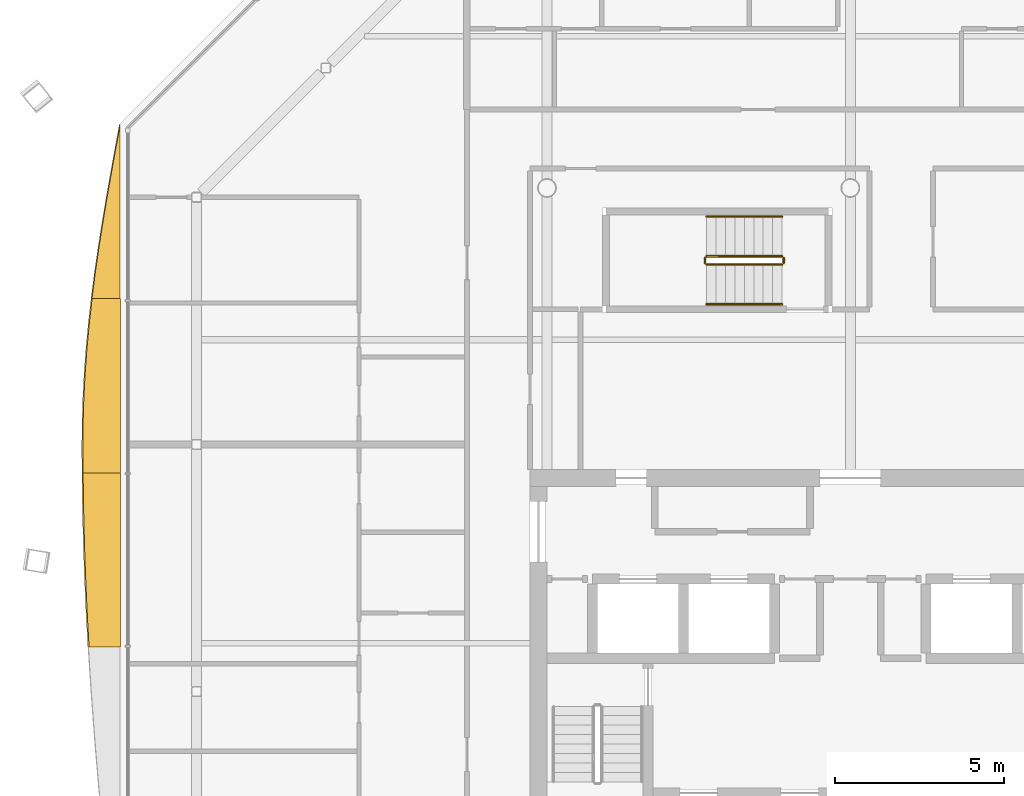
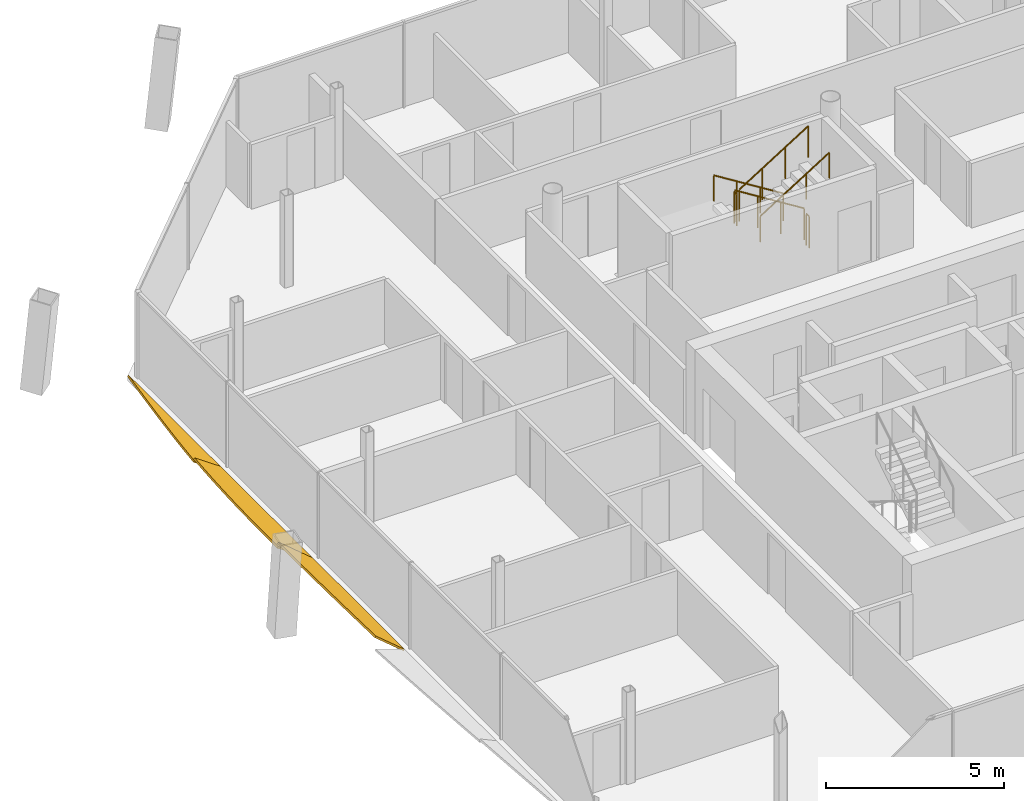
# One storey, part 16 of 17: 6 railings, 3 shading devices.
"""IFC4 building model written with IfcOpenShell, lengths in metres."""

import ifcopenshell
import ifcopenshell.guid

model = None  # the IFC model being written
_history = None  # IfcOwnerHistory: only IFC2X3 demands one
_inside = {}  # id of a spatial element -> (the spatial element, [elements in it])
_under = {}  # id of a project, library or spatial element -> (it, [spatial elements below it])
_declared = {}  # id of a project -> (the project, [libraries it declares])
_typed = {}  # id of a type object -> (the type object, [elements of that type])
_made_of = {}  # id of a material, layer set ... -> (it, [elements and type objects made of it])


def new_model(schema):
    """Start an empty IFC model of exactly this schema.

    Asked for "IFC4X3", IfcOpenShell would pick the latest addendum, in which some entities
    have other attributes; the version numbers below select the first issue.
    IFC2X3 requires an IfcOwnerHistory on every rooted entity: one is made here for all.
    """
    global model, _history
    if schema == "IFC4X3":
        model = ifcopenshell.file(schema_version=(4, 3, 0, 0))
    else:
        model = ifcopenshell.file(schema=schema)
    _inside.clear()
    _under.clear()
    _declared.clear()
    _typed.clear()
    _made_of.clear()
    _history = None
    if model.schema == "IFC2X3":
        org = make("IfcOrganization", Name="unknown")
        user = make(
            "IfcPersonAndOrganization",
            ThePerson=make("IfcPerson", FamilyName="unknown"),
            TheOrganization=org,
        )
        app = make(
            "IfcApplication",
            ApplicationDeveloper=org,
            Version="unknown",
            ApplicationFullName="unknown",
            ApplicationIdentifier="unknown",
        )
        _history = make(
            "IfcOwnerHistory",
            OwningUser=user,
            OwningApplication=app,
            ChangeAction="ADDED",
            CreationDate=0,
        )
    return model


def make(cls, **values):
    """One entity of the class cls with the attributes given. An attribute that is None is left unset."""
    return model.create_entity(
        cls, **{name: value for name, value in values.items() if value is not None}
    )


def rooted(cls, **values):
    """An entity with a GlobalId (a new one), such as an element, a storey or a relation."""
    return make(cls, GlobalId=ifcopenshell.guid.new(), OwnerHistory=_history, **values)


def si_unit(unit_type, name, prefix=None):
    """IfcSIUnit, for example si_unit("LENGTHUNIT", "METRE", prefix="MILLI")."""
    return make("IfcSIUnit", UnitType=unit_type, Prefix=prefix, Name=name)


def assignment(units):
    """IfcUnitAssignment: the units of a project."""
    return None if units is None else make("IfcUnitAssignment", Units=units)


def point(xyz):
    """IfcCartesianPoint."""
    return None if xyz is None else make("IfcCartesianPoint", Coordinates=xyz)


def direction(xyz):
    """IfcDirection."""
    return None if xyz is None else make("IfcDirection", DirectionRatios=xyz)


def frame(location, z_axis=None, x_axis=None):
    """IfcAxis2Placement3D, a coordinate frame: its origin and axes. An axis left out is left unset."""
    return make(
        "IfcAxis2Placement3D",
        Location=point(location),
        Axis=direction(z_axis),
        RefDirection=direction(x_axis),
    )


def frame_2d(location, x_axis=None):
    """IfcAxis2Placement2D, a coordinate frame in the plane: its origin and x axis."""
    return make(
        "IfcAxis2Placement2D", Location=point(location), RefDirection=direction(x_axis)
    )


def origin():
    """The frame at (0, 0, 0) with its axes left unset."""
    return frame((0.0, 0.0, 0.0))


def origin_2d():
    """The frame at (0, 0) in the plane with its x axis left unset."""
    return frame_2d((0.0, 0.0))


def place(relative_to, where):
    """IfcLocalPlacement: puts the frame where relative to a parent placement (None: the world)."""
    return make(
        "IfcLocalPlacement", PlacementRelTo=relative_to, RelativePlacement=where
    )


def context(
    kind, dimensions, precision=None, world=None, true_north=None, identifier=None
):
    """IfcGeometricRepresentationContext, for example the 3D "Model" context."""
    return make(
        "IfcGeometricRepresentationContext",
        ContextIdentifier=identifier,
        ContextType=kind,
        CoordinateSpaceDimension=dimensions,
        Precision=precision,
        WorldCoordinateSystem=world,
        TrueNorth=true_north,
    )


def subcontext(parent, identifier, kind, view, scale=None):
    """IfcGeometricRepresentationSubContext, for example "Body" below "Model"."""
    return make(
        "IfcGeometricRepresentationSubContext",
        ContextIdentifier=identifier,
        ContextType=kind,
        ParentContext=parent,
        TargetScale=scale,
        TargetView=view,
    )


def project(units=None, contexts=None):
    """IfcProject with its units and contexts."""
    return rooted(
        "IfcProject",
        Name="project",
        RepresentationContexts=contexts,
        UnitsInContext=assignment(units),
    )


def spatial(cls, under=None, at=None, **own):
    """A site, building, storey or space (cls), placed at a placement, below another one or the project."""
    s = rooted(cls, ObjectPlacement=at, **own)
    if under is not None:
        _under.setdefault(under.id(), (under, []))[1].append(s)
    return s


def polyline(points):
    """IfcPolyline through the points."""
    return make("IfcPolyline", Points=[point(p) for p in points])


def profile(cls, at=None, kind="AREA", **sizes):
    """A parametric profile (cls). Its sizes go by their IFC names, for example OverallWidth=200.0."""
    return make(cls, ProfileType=kind, Position=at, **sizes)


def circle(**sizes):
    """IfcCircleProfileDef."""
    return profile("IfcCircleProfileDef", **sizes)


def outline(outer, holes=None, kind="AREA"):
    """IfcArbitraryClosedProfileDef: a profile drawn as a closed curve; with holes, ...WithVoids."""
    if holes is None:
        return make("IfcArbitraryClosedProfileDef", ProfileType=kind, OuterCurve=outer)
    return make(
        "IfcArbitraryProfileDefWithVoids",
        ProfileType=kind,
        OuterCurve=outer,
        InnerCurves=holes,
    )


def extrude(swept, where, along, depth):
    """IfcExtrudedAreaSolid: the profile swept, set in the frame where, extruded along a direction by depth."""
    return make(
        "IfcExtrudedAreaSolid",
        SweptArea=swept,
        Position=where,
        ExtrudedDirection=direction(along),
        Depth=depth,
    )


def shape(context_of_items, identifier, shape_type, items):
    """IfcShapeRepresentation: the items that make up one representation, for example the "Body"."""
    return make(
        "IfcShapeRepresentation",
        ContextOfItems=context_of_items,
        RepresentationIdentifier=identifier,
        RepresentationType=shape_type,
        Items=items,
    )


def material(Name=None, Category=None):
    """IfcMaterial."""
    return make("IfcMaterial", Name=Name, Category=Category)


def layer(
    of_material, thickness, ventilated=None, Name=None, Category=None, Priority=None
):
    """IfcMaterialLayer: one layer of a wall or slab, of a material (None: an air gap)."""
    return make(
        "IfcMaterialLayer",
        Material=of_material,
        LayerThickness=thickness,
        IsVentilated=ventilated,
        Name=Name,
        Category=Category,
        Priority=Priority,
    )


def layer_set(layers, Name=None):
    """IfcMaterialLayerSet."""
    return make("IfcMaterialLayerSet", MaterialLayers=layers, LayerSetName=Name)


def made_of(thing, what):
    """Note that an element or type object is made of a material, layer set ...; save() writes the relation."""
    if what is not None:
        _made_of.setdefault(what.id(), (what, []))[1].append(thing)
    return thing


def type_object(cls, material=None, **own):
    """A type object (cls), such as IfcWallType, which elements share."""
    return made_of(rooted(cls, **own), material)


def element(
    cls,
    number,
    at=None,
    inside=None,
    cuts=None,
    type_object=None,
    material=None,
    context=None,
    identifier="Body",
    shape_type=None,
    held_by="IfcProductDefinitionShape",
    body=None,
    shapes=None,
    **own,
):
    """One element of the class cls, such as IfcWall. Its Tag is "e" and its number.

    at: its placement. inside: the storey or other place that contains it. cuts: it is an
    opening in that element (IfcRelVoidsElement). A single representation is given by context,
    identifier, shape_type and body (its items); several are given by shapes. held_by: the class
    of the entity that holds the representations. save() writes the other relations.
    """
    e = rooted(cls, Tag="e%d" % number, ObjectPlacement=at, **own)
    if body is not None:
        shapes = [shape(context, identifier, shape_type, body)]
    if shapes is not None:
        e.Representation = make(held_by, Representations=shapes)
    if inside is not None:
        _inside.setdefault(inside.id(), (inside, []))[1].append(e)
    if cuts is not None:
        rooted(
            "IfcRelVoidsElement", RelatingBuildingElement=cuts, RelatedOpeningElement=e
        )
    if type_object is not None:
        _typed.setdefault(type_object.id(), (type_object, []))[1].append(e)
    return made_of(e, material)


def aggregate(whole, parts):
    """IfcRelAggregates: a whole, such as a stair, and the parts it consists of."""
    return rooted("IfcRelAggregates", RelatingObject=whole, RelatedObjects=parts)


def save(model, path):
    """Write the relations noted so far, then the file.

    IfcRelAggregates (storeys below a building ...), IfcRelContainedInSpatialStructure (elements
    in a storey), IfcRelDefinesByType, IfcRelAssociatesMaterial and IfcRelDeclares: one each for
    every whole, place, type object, material and project.
    """
    for whole, parts in _under.values():
        aggregate(whole, parts)
    for where, things in _inside.values():
        rooted(
            "IfcRelContainedInSpatialStructure",
            RelatedElements=things,
            RelatingStructure=where,
        )
    for kind, things in _typed.values():
        rooted("IfcRelDefinesByType", RelatedObjects=things, RelatingType=kind)
    for what, things in _made_of.values():
        rooted("IfcRelAssociatesMaterial", RelatedObjects=things, RelatingMaterial=what)
    for by, libraries in _declared.values():
        rooted("IfcRelDeclares", RelatingContext=by, RelatedDefinitions=libraries)
    model.write(path)


model = new_model("IFC4")

# Units and contexts
model_context = context("Model", 3, precision=1e-05, world=origin(), true_north=direction((0.0, 1.0)))
body_context = subcontext(model_context, "Body", "Model", "MODEL_VIEW")
ifc_project = project(units=[si_unit("LENGTHUNIT", "METRE"), si_unit("AREAUNIT", "SQUARE_METRE"), si_unit("VOLUMEUNIT", "CUBIC_METRE"), si_unit("PLANEANGLEUNIT", "RADIAN"), si_unit("MASSUNIT", "GRAM", prefix="KILO")], contexts=[model_context])

# Site, building, storey
site_placement = place(None, origin())
site = spatial("IfcSite", under=ifc_project, at=site_placement, CompositionType="ELEMENT")
building_placement = place(site_placement, origin())
building = spatial("IfcBuilding", under=site, at=building_placement, Name="Tskaro Facet Tower", CompositionType="ELEMENT")
storey_placement = place(building_placement, frame((0.0, 0.0, 232.949951171875)))
storey = spatial("IfcBuildingStorey", under=building, at=storey_placement, Name="L60", CompositionType="ELEMENT", Elevation=232.949951171875)

# Shading devices
ifc_material_1 = material(Name="Bronze anodised aluminium 6063-T6", Category="aluminium")
ifc_layer = layer(ifc_material_1, 0.06005859375, Name="Bronze anodised aluminium 6063-T6")
ifc_layer_set = layer_set([ifc_layer], Name="Bronze anodised aluminium 6063-T6")
shading_device_type = type_object("IfcShadingDeviceType", Name="Bronze sun blade (FN1)", PredefinedType="USERDEFINED", material=ifc_layer_set)
shading_device_1_placement = place(storey_placement, frame((-21.656982421875, 10.883056640625, 0.052001953125), z_axis=(0.500025063863, 3.782648e-06, 0.866010932664), x_axis=(1.891419e-06, -0.999999999993, 3.275814e-06)))
element("IfcShadingDevice", 1, at=shading_device_1_placement, inside=storey, type_object=shading_device_type, Name="Fin blade west 1", ObjectType="FIN", PredefinedType="USERDEFINED", context=body_context, shape_type="SweptSolid", body=[
    extrude(outline(polyline([(0.0, 0.0), (5.166259765588039, 0.0), (5.166259765661523, -0.9686677957441194), (4.428222656437083, -0.8587435029922728), (3.6901855463988875, -0.7360088663208507), (2.952148437574859, -0.6024649150216561), (2.2141113283321103, -0.45983580111041855), (1.4760742189752625, -0.3104233343480507), (0.7380371090091753, -0.15640724806385714), (0.0, 0.0)])), origin(), (0.0, 0.0, -1.0), 0.06005859375),
])
shading_device_2_placement = place(storey_placement, frame((-21.652587890625, 5.716796875, 0.04931640625), z_axis=(0.573508682959, -6.240284e-06, 0.819199481526), x_axis=(-3.578857e-06, -0.999999999981, -5.112038e-06)))
element("IfcShadingDevice", 2, at=shading_device_2_placement, inside=storey, type_object=shading_device_type, Name="Fin blade west 2", ObjectType="FIN", PredefinedType="USERDEFINED", context=body_context, shape_type="SweptSolid", body=[
    extrude(outline(polyline([(0.0, 0.0), (5.16625976552441, 0.0), (5.166259765378479, -1.3545327814494834), (4.42822265576971, -1.358732947360441), (4.339599608896436, -1.358732947360441), (3.6901855474047904, -1.3508726320536757), (2.9521484379095724, -1.3231715538856048), (2.2141113281578, -1.2758297127296518), (1.4760742186489064, -1.2093871251009665), (0.7380371091337014, -1.125063840798151), (-6.370055366507726e-10, -1.0240799096198088), (0.0, 0.0)])), origin(), (0.0, 0.0, -1.0), 0.06005859375),
])
shading_device_3_placement = place(storey_placement, frame((-21.6484375, 0.550537109375, 0.0458984375), z_axis=(0.64281875359, -4.951406e-06, 0.766018309186), x_axis=(-3.182856e-06, -0.999999999988, -3.792867e-06)))
element("IfcShadingDevice", 3, at=shading_device_3_placement, inside=storey, type_object=shading_device_type, Name="Fin blade west 3", ObjectType="FIN", PredefinedType="USERDEFINED", context=body_context, shape_type="SweptSolid", body=[
    extrude(outline(polyline([(0.0, 0.0), (5.166015624936674, 0.0), (5.166015625217799, -1.2180765919272314), (4.428222656607602, -1.2712796395686783), (3.6901855467959335, -1.3178873983174806), (2.9521484371848548, -1.3580868843624074), (2.214111328072223, -1.391190188981391), (1.47607421930911, -1.417541266535465), (0.7380371085643219, -1.4365790684583244), (2.103843331482125e-11, -1.448550766971744), (0.0, 0.0)])), origin(), (0.0, 0.0, -1.0), 0.06005859375),
])

# Railings
ifc_material_2 = material(Name="Stainless steel", Category="steel")
railing_type_1 = type_object("IfcRailingType", Name="RL-GUARD-1100", PredefinedType="GUARDRAIL", material=ifc_material_2)
railing_1_placement = place(storey_placement, frame((-2.02490234375, 6.97509765625, 0.175048828125)))
element("IfcRailing", 4, at=railing_1_placement, inside=storey, type_object=railing_type_1, Name="L60 ST-3 stair guard 1", PredefinedType="GUARDRAIL", context=body_context, shape_type="SweptSolid", body=[
    extrude(circle(Radius=0.02392578125, at=origin_2d()), frame((0.0, 0.0, 1.076171875), z_axis=(-0.848013881152, 0.0, 0.529974015752), x_axis=(0.0, -1.0, 0.0)), (0.0, 0.0, 1.0), 2.641357421875),
    extrude(circle(Radius=0.02099609375, at=origin_2d()), origin(), (0.0, 0.0, 1.0), 1.052001953125),
    extrude(circle(Radius=0.02099609375, at=origin_2d()), frame((-0.74658203125, 0.0, 0.466552734375)), (0.0, 0.0, 1.0), 1.052001953125),
    extrude(circle(Radius=0.02099609375, at=origin_2d()), frame((-1.493408203125, 0.0, 0.933349609375)), (0.0, 0.0, 1.0), 1.052001953125),
    extrude(circle(Radius=0.02099609375, at=origin_2d()), frame((-2.239990234375, 0.0, 1.39990234375)), (0.0, 0.0, 1.0), 1.052001953125),
])
railing_2_placement = place(storey_placement, frame((-4.31494140625, 6.925048828125, 1.574951171875)))
element("IfcRailing", 5, at=railing_2_placement, inside=storey, type_object=railing_type_1, Name="L60 ST-3 stair guard 2", PredefinedType="GUARDRAIL", context=body_context, shape_type="SweptSolid", body=[
    extrude(circle(Radius=0.02392578125, at=origin_2d()), frame((0.0, 0.0, 1.076171875), z_axis=(0.0, -1.0, 0.0), x_axis=(1.0, 0.0, 0.0)), (0.0, 0.0, 1.0), 0.150146484375),
    extrude(circle(Radius=0.02099609375, at=origin_2d()), origin(), (0.0, 0.0, 1.0), 1.052001953125),
    extrude(circle(Radius=0.02099609375, at=origin_2d()), frame((0.0, -0.150146484375, 0.0)), (0.0, 0.0, 1.0), 1.052001953125),
])
railing_3_placement = place(storey_placement, frame((-4.264892578125, 6.72509765625, 1.75)))
element("IfcRailing", 6, at=railing_3_placement, inside=storey, type_object=railing_type_1, Name="L60 ST-3 stair guard 3", PredefinedType="GUARDRAIL", context=body_context, shape_type="SweptSolid", body=[
    extrude(circle(Radius=0.02392578125, at=origin_2d()), frame((0.0, 0.0, 1.076171875), z_axis=(0.847972341737, 0.0, 0.530040477369), x_axis=(0.0, 1.0, 0.0)), (0.0, 0.0, 1.0), 2.6416015625),
    extrude(circle(Radius=0.02099609375, at=origin_2d()), origin(), (0.0, 0.0, 1.0), 1.052001953125),
    extrude(circle(Radius=0.02099609375, at=origin_2d()), frame((0.74658203125, 0.0, 0.466796875)), (0.0, 0.0, 1.0), 1.052001953125),
    extrude(circle(Radius=0.02099609375, at=origin_2d()), frame((1.493408203125, 0.0, 0.933349609375)), (0.0, 0.0, 1.0), 1.052001953125),
    extrude(circle(Radius=0.02099609375, at=origin_2d()), frame((2.239990234375, 0.0, 1.400146484375)), (0.0, 0.0, 1.0), 1.052001953125),
])
railing_4_placement = place(storey_placement, frame((-1.97509765625, 6.925048828125, 0.0)))
element("IfcRailing", 7, at=railing_4_placement, inside=storey, type_object=railing_type_1, Name="L60 ST-3 stair guard 4", PredefinedType="GUARDRAIL", context=body_context, shape_type="SweptSolid", body=[
    extrude(circle(Radius=0.02392578125, at=origin_2d()), frame((0.0, 0.0, 1.076171875), z_axis=(0.0, -1.0, 0.0), x_axis=(1.0, 0.0, 0.0)), (0.0, 0.0, 1.0), 0.150146484375),
    extrude(circle(Radius=0.02099609375, at=origin_2d()), origin(), (0.0, 0.0, 1.0), 1.052001953125),
    extrude(circle(Radius=0.02099609375, at=origin_2d()), frame((0.0, -0.150146484375, 0.0)), (0.0, 0.0, 1.0), 1.052001953125),
])
railing_type_2 = type_object("IfcRailingType", Name="RL-HANDRAIL-900", PredefinedType="HANDRAIL", material=ifc_material_2)
railing_5_placement = place(storey_placement, frame((-2.02490234375, 8.14990234375, 0.175048828125)))
element("IfcRailing", 8, at=railing_5_placement, inside=storey, type_object=railing_type_2, Name="L60 ST-3 stair handrail 1", PredefinedType="HANDRAIL", context=body_context, shape_type="SweptSolid", body=[
    extrude(circle(Radius=0.02392578125, at=origin_2d()), frame((0.0, 0.0, 0.8759765625), z_axis=(-0.848013881152, 0.0, 0.529974015752), x_axis=(0.0, -1.0, 0.0)), (0.0, 0.0, 1.0), 2.641357421875),
    extrude(circle(Radius=0.02099609375, at=origin_2d()), origin(), (0.0, 0.0, 1.0), 0.851806640625),
    extrude(circle(Radius=0.02099609375, at=origin_2d()), frame((-0.74658203125, 0.0, 0.466552734375)), (0.0, 0.0, 1.0), 0.851806640625),
    extrude(circle(Radius=0.02099609375, at=origin_2d()), frame((-1.493408203125, 0.0, 0.933349609375)), (0.0, 0.0, 1.0), 0.851806640625),
    extrude(circle(Radius=0.02099609375, at=origin_2d()), frame((-2.239990234375, 0.0, 1.39990234375)), (0.0, 0.0, 1.0), 0.851806640625),
])
railing_6_placement = place(storey_placement, frame((-4.264892578125, 5.550048828125, 1.75)))
element("IfcRailing", 9, at=railing_6_placement, inside=storey, type_object=railing_type_2, Name="L60 ST-3 stair handrail 2", PredefinedType="HANDRAIL", context=body_context, shape_type="SweptSolid", body=[
    extrude(circle(Radius=0.02392578125, at=origin_2d()), frame((0.0, 0.0, 0.8759765625), z_axis=(0.847972341737, 0.0, 0.530040477369), x_axis=(0.0, 1.0, 0.0)), (0.0, 0.0, 1.0), 2.6416015625),
    extrude(circle(Radius=0.02099609375, at=origin_2d()), origin(), (0.0, 0.0, 1.0), 0.851806640625),
    extrude(circle(Radius=0.02099609375, at=origin_2d()), frame((0.74658203125, 0.0, 0.466796875)), (0.0, 0.0, 1.0), 0.851806640625),
    extrude(circle(Radius=0.02099609375, at=origin_2d()), frame((1.493408203125, 0.0, 0.933349609375)), (0.0, 0.0, 1.0), 0.851806640625),
    extrude(circle(Radius=0.02099609375, at=origin_2d()), frame((2.239990234375, 0.0, 1.400146484375)), (0.0, 0.0, 1.0), 0.851806640625),
])

save(model, "model.ifc")
